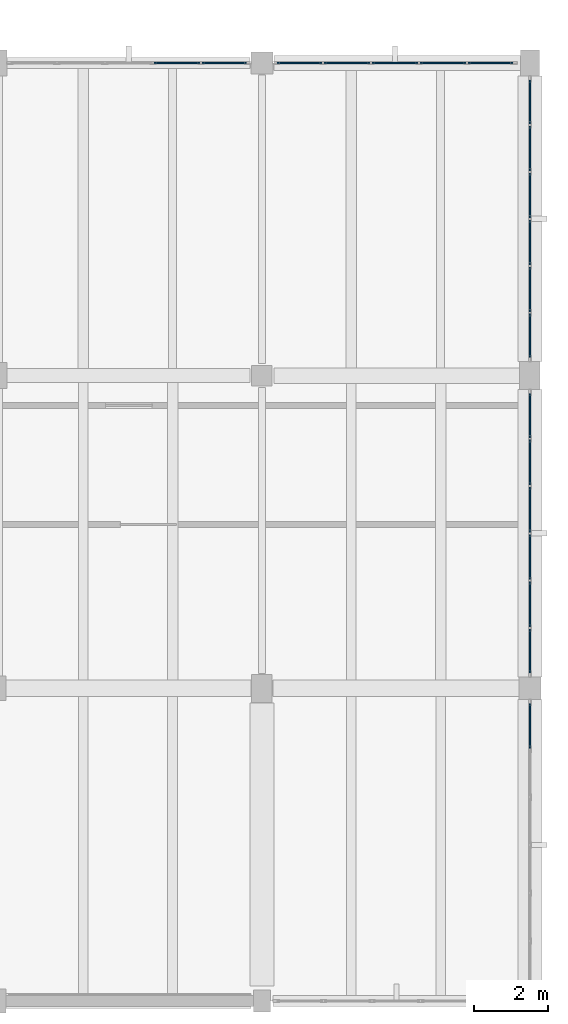
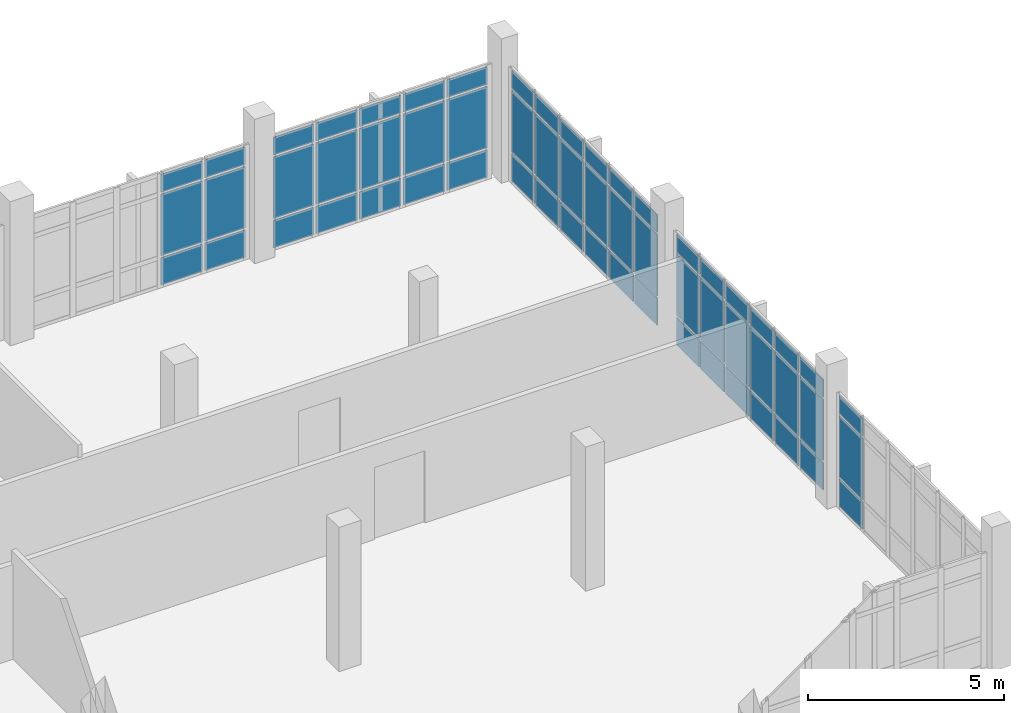
# One storey, part 68 of 87: 60 plates, 5 elements without a shape of their own.
"""IFC4 building model written with IfcOpenShell, lengths in metres."""

from ifc_helpers import new_model, si_unit, direction, frame, origin, origin_2d, place, context, subcontext, project, spatial, rectangle, extrude, material, layer, layer_set, type_object, element, aggregate, save


model = new_model("IFC4")

# Units and contexts
model_context = context("Model", 3, precision=1e-05, world=origin(), true_north=direction((0.0, 1.0)))
body_context = subcontext(model_context, "Body", "Model", "MODEL_VIEW")
ifc_project = project(units=[si_unit("LENGTHUNIT", "METRE"), si_unit("AREAUNIT", "SQUARE_METRE"), si_unit("VOLUMEUNIT", "CUBIC_METRE"), si_unit("PLANEANGLEUNIT", "RADIAN"), si_unit("MASSUNIT", "GRAM", prefix="KILO")], contexts=[model_context])

# Site, building, storey
site_placement = place(None, origin())
site = spatial("IfcSite", under=ifc_project, at=site_placement, CompositionType="ELEMENT")
building_placement = place(site_placement, origin())
building = spatial("IfcBuilding", under=site, at=building_placement, Name="Kalluvel Institute of Natural Sciences", CompositionType="ELEMENT")
storey_placement = place(building_placement, frame((0.0, 0.0, 18.89990234375)))
storey = spatial("IfcBuildingStorey", under=building, at=storey_placement, Name="L04", CompositionType="ELEMENT", Elevation=18.89990234375)

# Curtain wall, plates
ifc_material_1 = material(Name="Aluminium AW-6063 T6", Category="aluminium")
curtain_wall_type = type_object("IfcCurtainWallType", Name="CW-WET-45", PredefinedType="USERDEFINED", material=ifc_material_1)
curtain_wall_1_placement = place(storey_placement, origin())
curtain_wall_1 = element("IfcCurtainWall", 1, at=curtain_wall_1_placement, inside=storey, type_object=curtain_wall_type, Name="L04 Gothic lancet curtain wall CWA-L04-X1008-Y1280", ObjectType="UNITISED LANCET FACADE", PredefinedType="USERDEFINED")
ifc_material_2 = material(Name="Solar-Control Low-E Laminated Glass", Category="glass")
ifc_layer = layer(ifc_material_2, 0.031982421875)
ifc_layer_set = layer_set([ifc_layer], Name="Solar-Control Low-E Laminated Glass")
plate_type = type_object("IfcPlateType", Name="CWP-DGU-32", PredefinedType="CURTAIN_PANEL", material=ifc_layer_set)
plate_1_placement = place(storey_placement, frame((105.31494140625, 128.0, 0.065185546875), z_axis=(0.0, 0.0, 1.0), x_axis=(1.0, 0.0, 0.0)))
plate_1 = element("IfcPlate", 2, at=plate_1_placement, type_object=plate_type, Name="CW-01 panel 4.1", PredefinedType="CURTAIN_PANEL", context=body_context, shape_type="SweptSolid", body=[
    extrude(rectangle(XDim=1.22509765625, YDim=0.031982421875, at=origin_2d()), origin(), (0.0, 0.0, 1.0), 0.8525390625),
])
plate_2_placement = place(storey_placement, frame((105.31494140625, 128.0, 0.982666015625), z_axis=(0.0, 0.0, 1.0), x_axis=(1.0, 0.0, 0.0)))
plate_2 = element("IfcPlate", 3, at=plate_2_placement, type_object=plate_type, Name="CW-01 panel 4.2", PredefinedType="CURTAIN_PANEL", context=body_context, shape_type="SweptSolid", body=[
    extrude(rectangle(XDim=1.22509765625, YDim=0.031982421875, at=origin_2d()), origin(), (0.0, 0.0, 1.0), 1.9150390625),
])
plate_3_placement = place(storey_placement, frame((105.31494140625, 128.0, 2.96240234375), z_axis=(0.0, 0.0, 1.0), x_axis=(1.0, 0.0, 0.0)))
plate_3 = element("IfcPlate", 4, at=plate_3_placement, type_object=plate_type, Name="CW-01 panel 4.3", PredefinedType="CURTAIN_PANEL", context=body_context, shape_type="SweptSolid", body=[
    extrude(rectangle(XDim=1.22509765625, YDim=0.031982421875, at=origin_2d()), origin(), (0.0, 0.0, 1.0), 0.552490234375),
])
plate_4_placement = place(storey_placement, frame((106.5888671875, 128.0, 0.065185546875), z_axis=(0.0, 0.0, 1.0), x_axis=(1.0, 0.0, 0.0)))
plate_4 = element("IfcPlate", 5, at=plate_4_placement, type_object=plate_type, Name="CW-01 panel 5.1", PredefinedType="CURTAIN_PANEL", context=body_context, shape_type="SweptSolid", body=[
    extrude(rectangle(XDim=1.1923828125, YDim=0.031982421875, at=origin_2d()), origin(), (0.0, 0.0, 1.0), 0.8525390625),
])
plate_5_placement = place(storey_placement, frame((106.5888671875, 128.0, 0.982666015625), z_axis=(0.0, 0.0, 1.0), x_axis=(1.0, 0.0, 0.0)))
plate_5 = element("IfcPlate", 6, at=plate_5_placement, type_object=plate_type, Name="CW-01 panel 5.2", PredefinedType="CURTAIN_PANEL", context=body_context, shape_type="SweptSolid", body=[
    extrude(rectangle(XDim=1.1923828125, YDim=0.031982421875, at=origin_2d()), origin(), (0.0, 0.0, 1.0), 1.9150390625),
])
plate_6_placement = place(storey_placement, frame((106.5888671875, 128.0, 2.96240234375), z_axis=(0.0, 0.0, 1.0), x_axis=(1.0, 0.0, 0.0)))
plate_6 = element("IfcPlate", 7, at=plate_6_placement, type_object=plate_type, Name="CW-01 panel 5.3", PredefinedType="CURTAIN_PANEL", context=body_context, shape_type="SweptSolid", body=[
    extrude(rectangle(XDim=1.1923828125, YDim=0.031982421875, at=origin_2d()), origin(), (0.0, 0.0, 1.0), 0.552490234375),
])
aggregate(curtain_wall_1, [plate_1, plate_2, plate_3, plate_4, plate_5, plate_6])

curtain_wall_2_placement = place(storey_placement, origin())
curtain_wall_2 = element("IfcCurtainWall", 8, at=curtain_wall_2_placement, inside=storey, type_object=curtain_wall_type, Name="L04 Gothic lancet curtain wall CWA-L04-X1080-Y1280", ObjectType="UNITISED LANCET FACADE", PredefinedType="USERDEFINED")
plate_7_placement = place(storey_placement, frame((108.611328125, 128.0, 0.065185546875), z_axis=(0.0, 0.0, 1.0), x_axis=(1.0, 0.0, 0.0)))
plate_7 = element("IfcPlate", 9, at=plate_7_placement, type_object=plate_type, Name="CW-01 panel 1.1", PredefinedType="CURTAIN_PANEL", context=body_context, shape_type="SweptSolid", body=[
    extrude(rectangle(XDim=1.1923828125, YDim=0.031982421875, at=origin_2d()), origin(), (0.0, 0.0, 1.0), 0.8525390625),
])
plate_8_placement = place(storey_placement, frame((108.611328125, 128.0, 0.982666015625), z_axis=(0.0, 0.0, 1.0), x_axis=(1.0, 0.0, 0.0)))
plate_8 = element("IfcPlate", 10, at=plate_8_placement, type_object=plate_type, Name="CW-01 panel 1.2", PredefinedType="CURTAIN_PANEL", context=body_context, shape_type="SweptSolid", body=[
    extrude(rectangle(XDim=1.1923828125, YDim=0.031982421875, at=origin_2d()), origin(), (0.0, 0.0, 1.0), 1.9150390625),
])
plate_9_placement = place(storey_placement, frame((108.611328125, 128.0, 2.96240234375), z_axis=(0.0, 0.0, 1.0), x_axis=(1.0, 0.0, 0.0)))
plate_9 = element("IfcPlate", 11, at=plate_9_placement, type_object=plate_type, Name="CW-01 panel 1.3", PredefinedType="CURTAIN_PANEL", context=body_context, shape_type="SweptSolid", body=[
    extrude(rectangle(XDim=1.1923828125, YDim=0.031982421875, at=origin_2d()), origin(), (0.0, 0.0, 1.0), 0.552490234375),
])
plate_10_placement = place(storey_placement, frame((109.885009765625, 128.0, 0.065185546875), z_axis=(0.0, 0.0, 1.0), x_axis=(1.0, 0.0, 0.0)))
plate_10 = element("IfcPlate", 12, at=plate_10_placement, type_object=plate_type, Name="CW-01 panel 2.1", PredefinedType="CURTAIN_PANEL", context=body_context, shape_type="SweptSolid", body=[
    extrude(rectangle(XDim=1.22509765625, YDim=0.031982421875, at=origin_2d()), origin(), (0.0, 0.0, 1.0), 0.8525390625),
])
plate_11_placement = place(storey_placement, frame((109.885009765625, 128.0, 0.982666015625), z_axis=(0.0, 0.0, 1.0), x_axis=(1.0, 0.0, 0.0)))
plate_11 = element("IfcPlate", 13, at=plate_11_placement, type_object=plate_type, Name="CW-01 panel 2.2", PredefinedType="CURTAIN_PANEL", context=body_context, shape_type="SweptSolid", body=[
    extrude(rectangle(XDim=1.22509765625, YDim=0.031982421875, at=origin_2d()), origin(), (0.0, 0.0, 1.0), 1.9150390625),
])
plate_12_placement = place(storey_placement, frame((109.885009765625, 128.0, 2.96240234375), z_axis=(0.0, 0.0, 1.0), x_axis=(1.0, 0.0, 0.0)))
plate_12 = element("IfcPlate", 14, at=plate_12_placement, type_object=plate_type, Name="CW-01 panel 2.3", PredefinedType="CURTAIN_PANEL", context=body_context, shape_type="SweptSolid", body=[
    extrude(rectangle(XDim=1.22509765625, YDim=0.031982421875, at=origin_2d()), origin(), (0.0, 0.0, 1.0), 0.552490234375),
])
plate_13_placement = place(storey_placement, frame((111.175048828125, 128.0, 0.065185546875), z_axis=(0.0, 0.0, 1.0), x_axis=(1.0, 0.0, 0.0)))
plate_13 = element("IfcPlate", 15, at=plate_13_placement, type_object=plate_type, Name="CW-01 panel 3.1", PredefinedType="CURTAIN_PANEL", context=body_context, shape_type="SweptSolid", body=[
    extrude(rectangle(XDim=1.22509765625, YDim=0.031982421875, at=origin_2d()), origin(), (0.0, 0.0, 1.0), 0.8525390625),
])
plate_14_placement = place(storey_placement, frame((111.175048828125, 128.0, 0.982666015625), z_axis=(0.0, 0.0, 1.0), x_axis=(1.0, 0.0, 0.0)))
plate_14 = element("IfcPlate", 16, at=plate_14_placement, type_object=plate_type, Name="CW-01 panel 3.2", PredefinedType="CURTAIN_PANEL", context=body_context, shape_type="SweptSolid", body=[
    extrude(rectangle(XDim=1.22509765625, YDim=0.031982421875, at=origin_2d()), origin(), (0.0, 0.0, 1.0), 1.9150390625),
])
plate_15_placement = place(storey_placement, frame((111.175048828125, 128.0, 2.96240234375), z_axis=(0.0, 0.0, 1.0), x_axis=(1.0, 0.0, 0.0)))
plate_15 = element("IfcPlate", 17, at=plate_15_placement, type_object=plate_type, Name="CW-01 panel 3.3", PredefinedType="CURTAIN_PANEL", context=body_context, shape_type="SweptSolid", body=[
    extrude(rectangle(XDim=1.22509765625, YDim=0.031982421875, at=origin_2d()), origin(), (0.0, 0.0, 1.0), 0.552490234375),
])
plate_16_placement = place(storey_placement, frame((112.465087890625, 128.0, 0.065185546875), z_axis=(0.0, 0.0, 1.0), x_axis=(1.0, 0.0, 0.0)))
plate_16 = element("IfcPlate", 18, at=plate_16_placement, type_object=plate_type, Name="CW-01 panel 4.1", PredefinedType="CURTAIN_PANEL", context=body_context, shape_type="SweptSolid", body=[
    extrude(rectangle(XDim=1.22509765625, YDim=0.031982421875, at=origin_2d()), origin(), (0.0, 0.0, 1.0), 0.8525390625),
])
plate_17_placement = place(storey_placement, frame((112.465087890625, 128.0, 0.982666015625), z_axis=(0.0, 0.0, 1.0), x_axis=(1.0, 0.0, 0.0)))
plate_17 = element("IfcPlate", 19, at=plate_17_placement, type_object=plate_type, Name="CW-01 panel 4.2", PredefinedType="CURTAIN_PANEL", context=body_context, shape_type="SweptSolid", body=[
    extrude(rectangle(XDim=1.22509765625, YDim=0.031982421875, at=origin_2d()), origin(), (0.0, 0.0, 1.0), 1.9150390625),
])
plate_18_placement = place(storey_placement, frame((112.465087890625, 128.0, 2.96240234375), z_axis=(0.0, 0.0, 1.0), x_axis=(1.0, 0.0, 0.0)))
plate_18 = element("IfcPlate", 20, at=plate_18_placement, type_object=plate_type, Name="CW-01 panel 4.3", PredefinedType="CURTAIN_PANEL", context=body_context, shape_type="SweptSolid", body=[
    extrude(rectangle(XDim=1.22509765625, YDim=0.031982421875, at=origin_2d()), origin(), (0.0, 0.0, 1.0), 0.552490234375),
])
plate_19_placement = place(storey_placement, frame((113.73876953125, 128.0, 0.065185546875), z_axis=(0.0, 0.0, 1.0), x_axis=(1.0, 0.0, 0.0)))
plate_19 = element("IfcPlate", 21, at=plate_19_placement, type_object=plate_type, Name="CW-01 panel 5.1", PredefinedType="CURTAIN_PANEL", context=body_context, shape_type="SweptSolid", body=[
    extrude(rectangle(XDim=1.1923828125, YDim=0.031982421875, at=origin_2d()), origin(), (0.0, 0.0, 1.0), 0.8525390625),
])
plate_20_placement = place(storey_placement, frame((113.73876953125, 128.0, 0.982666015625), z_axis=(0.0, 0.0, 1.0), x_axis=(1.0, 0.0, 0.0)))
plate_20 = element("IfcPlate", 22, at=plate_20_placement, type_object=plate_type, Name="CW-01 panel 5.2", PredefinedType="CURTAIN_PANEL", context=body_context, shape_type="SweptSolid", body=[
    extrude(rectangle(XDim=1.1923828125, YDim=0.031982421875, at=origin_2d()), origin(), (0.0, 0.0, 1.0), 1.9150390625),
])
plate_21_placement = place(storey_placement, frame((113.73876953125, 128.0, 2.96240234375), z_axis=(0.0, 0.0, 1.0), x_axis=(1.0, 0.0, 0.0)))
plate_21 = element("IfcPlate", 23, at=plate_21_placement, type_object=plate_type, Name="CW-01 panel 5.3", PredefinedType="CURTAIN_PANEL", context=body_context, shape_type="SweptSolid", body=[
    extrude(rectangle(XDim=1.1923828125, YDim=0.031982421875, at=origin_2d()), origin(), (0.0, 0.0, 1.0), 0.552490234375),
])
aggregate(curtain_wall_2, [plate_7, plate_8, plate_9, plate_10, plate_11, plate_12, plate_13, plate_14, plate_15, plate_16, plate_17, plate_18, plate_19, plate_20, plate_21])

curtain_wall_3_placement = place(storey_placement, origin())
curtain_wall_3 = element("IfcCurtainWall", 24, at=curtain_wall_3_placement, inside=storey, type_object=curtain_wall_type, Name="L04 Gothic lancet curtain wall CWA-L04-X1148-Y1031", ObjectType="UNITISED LANCET FACADE", PredefinedType="USERDEFINED")
plate_22_placement = place(storey_placement, frame((114.800048828125, 110.18994140625, 0.065185546875), z_axis=(0.0, 0.0, 1.0), x_axis=(0.0, 1.0, 0.0)))
plate_22 = element("IfcPlate", 25, at=plate_22_placement, type_object=plate_type, Name="CW-01 panel 6.1", PredefinedType="CURTAIN_PANEL", context=body_context, shape_type="SweptSolid", body=[
    extrude(rectangle(XDim=1.18994140625, YDim=0.031982421875, at=origin_2d()), origin(), (0.0, 0.0, 1.0), 0.8525390625),
])
plate_23_placement = place(storey_placement, frame((114.800048828125, 110.18994140625, 0.982666015625), z_axis=(0.0, 0.0, 1.0), x_axis=(0.0, 1.0, 0.0)))
plate_23 = element("IfcPlate", 26, at=plate_23_placement, type_object=plate_type, Name="CW-01 panel 6.2", PredefinedType="CURTAIN_PANEL", context=body_context, shape_type="SweptSolid", body=[
    extrude(rectangle(XDim=1.18994140625, YDim=0.031982421875, at=origin_2d()), origin(), (0.0, 0.0, 1.0), 1.9150390625),
])
plate_24_placement = place(storey_placement, frame((114.800048828125, 110.18994140625, 2.96240234375), z_axis=(0.0, 0.0, 1.0), x_axis=(0.0, 1.0, 0.0)))
plate_24 = element("IfcPlate", 27, at=plate_24_placement, type_object=plate_type, Name="CW-01 panel 6.3", PredefinedType="CURTAIN_PANEL", context=body_context, shape_type="SweptSolid", body=[
    extrude(rectangle(XDim=1.18994140625, YDim=0.031982421875, at=origin_2d()), origin(), (0.0, 0.0, 1.0), 0.552490234375),
])
aggregate(curtain_wall_3, [plate_22, plate_23, plate_24])

curtain_wall_4_placement = place(storey_placement, origin())
curtain_wall_4 = element("IfcCurtainWall", 28, at=curtain_wall_4_placement, inside=storey, type_object=curtain_wall_type, Name="L04 Gothic lancet curtain wall CWA-L04-X1148-Y1116", ObjectType="UNITISED LANCET FACADE", PredefinedType="USERDEFINED")
plate_25_placement = place(storey_placement, frame((114.800048828125, 112.20166015625, 0.065185546875), z_axis=(0.0, 0.0, 1.0), x_axis=(0.0, 1.0, 0.0)))
plate_25 = element("IfcPlate", 29, at=plate_25_placement, type_object=plate_type, Name="CW-01 panel 1.1", PredefinedType="CURTAIN_PANEL", context=body_context, shape_type="SweptSolid", body=[
    extrude(rectangle(XDim=1.17333984375, YDim=0.031982421875, at=origin_2d()), origin(), (0.0, 0.0, 1.0), 0.8525390625),
])
plate_26_placement = place(storey_placement, frame((114.800048828125, 112.20166015625, 0.982666015625), z_axis=(0.0, 0.0, 1.0), x_axis=(0.0, 1.0, 0.0)))
plate_26 = element("IfcPlate", 30, at=plate_26_placement, type_object=plate_type, Name="CW-01 panel 1.2", PredefinedType="CURTAIN_PANEL", context=body_context, shape_type="SweptSolid", body=[
    extrude(rectangle(XDim=1.17333984375, YDim=0.031982421875, at=origin_2d()), origin(), (0.0, 0.0, 1.0), 1.9150390625),
])
plate_27_placement = place(storey_placement, frame((114.800048828125, 112.20166015625, 2.96240234375), z_axis=(0.0, 0.0, 1.0), x_axis=(0.0, 1.0, 0.0)))
plate_27 = element("IfcPlate", 31, at=plate_27_placement, type_object=plate_type, Name="CW-01 panel 1.3", PredefinedType="CURTAIN_PANEL", context=body_context, shape_type="SweptSolid", body=[
    extrude(rectangle(XDim=1.17333984375, YDim=0.031982421875, at=origin_2d()), origin(), (0.0, 0.0, 1.0), 0.552490234375),
])
plate_28_placement = place(storey_placement, frame((114.800048828125, 113.456298828125, 0.065185546875), z_axis=(0.0, 0.0, 1.0), x_axis=(0.0, 1.0, 0.0)))
plate_28 = element("IfcPlate", 32, at=plate_28_placement, type_object=plate_type, Name="CW-01 panel 2.1", PredefinedType="CURTAIN_PANEL", context=body_context, shape_type="SweptSolid", body=[
    extrude(rectangle(XDim=1.205810546875, YDim=0.031982421875, at=origin_2d()), origin(), (0.0, 0.0, 1.0), 0.8525390625),
])
plate_29_placement = place(storey_placement, frame((114.800048828125, 113.456298828125, 0.982666015625), z_axis=(0.0, 0.0, 1.0), x_axis=(0.0, 1.0, 0.0)))
plate_29 = element("IfcPlate", 33, at=plate_29_placement, type_object=plate_type, Name="CW-01 panel 2.2", PredefinedType="CURTAIN_PANEL", context=body_context, shape_type="SweptSolid", body=[
    extrude(rectangle(XDim=1.205810546875, YDim=0.031982421875, at=origin_2d()), origin(), (0.0, 0.0, 1.0), 1.9150390625),
])
plate_30_placement = place(storey_placement, frame((114.800048828125, 113.456298828125, 2.96240234375), z_axis=(0.0, 0.0, 1.0), x_axis=(0.0, 1.0, 0.0)))
plate_30 = element("IfcPlate", 34, at=plate_30_placement, type_object=plate_type, Name="CW-01 panel 2.3", PredefinedType="CURTAIN_PANEL", context=body_context, shape_type="SweptSolid", body=[
    extrude(rectangle(XDim=1.205810546875, YDim=0.031982421875, at=origin_2d()), origin(), (0.0, 0.0, 1.0), 0.552490234375),
])
plate_31_placement = place(storey_placement, frame((114.800048828125, 114.72705078125, 0.065185546875), z_axis=(0.0, 0.0, 1.0), x_axis=(0.0, 1.0, 0.0)))
plate_31 = element("IfcPlate", 35, at=plate_31_placement, type_object=plate_type, Name="CW-01 panel 3.1", PredefinedType="CURTAIN_PANEL", context=body_context, shape_type="SweptSolid", body=[
    extrude(rectangle(XDim=1.205810546875, YDim=0.031982421875, at=origin_2d()), origin(), (0.0, 0.0, 1.0), 0.8525390625),
])
plate_32_placement = place(storey_placement, frame((114.800048828125, 114.72705078125, 0.982666015625), z_axis=(0.0, 0.0, 1.0), x_axis=(0.0, 1.0, 0.0)))
plate_32 = element("IfcPlate", 36, at=plate_32_placement, type_object=plate_type, Name="CW-01 panel 3.2", PredefinedType="CURTAIN_PANEL", context=body_context, shape_type="SweptSolid", body=[
    extrude(rectangle(XDim=1.205810546875, YDim=0.031982421875, at=origin_2d()), origin(), (0.0, 0.0, 1.0), 1.9150390625),
])
plate_33_placement = place(storey_placement, frame((114.800048828125, 114.72705078125, 2.96240234375), z_axis=(0.0, 0.0, 1.0), x_axis=(0.0, 1.0, 0.0)))
plate_33 = element("IfcPlate", 37, at=plate_33_placement, type_object=plate_type, Name="CW-01 panel 3.3", PredefinedType="CURTAIN_PANEL", context=body_context, shape_type="SweptSolid", body=[
    extrude(rectangle(XDim=1.205810546875, YDim=0.031982421875, at=origin_2d()), origin(), (0.0, 0.0, 1.0), 0.552490234375),
])
plate_34_placement = place(storey_placement, frame((114.800048828125, 115.997802734375, 0.065185546875), z_axis=(0.0, 0.0, 1.0), x_axis=(0.0, 1.0, 0.0)))
plate_34 = element("IfcPlate", 38, at=plate_34_placement, type_object=plate_type, Name="CW-01 panel 4.1", PredefinedType="CURTAIN_PANEL", context=body_context, shape_type="SweptSolid", body=[
    extrude(rectangle(XDim=1.205810546875, YDim=0.031982421875, at=origin_2d()), origin(), (0.0, 0.0, 1.0), 0.8525390625),
])
plate_35_placement = place(storey_placement, frame((114.800048828125, 115.997802734375, 0.982666015625), z_axis=(0.0, 0.0, 1.0), x_axis=(0.0, 1.0, 0.0)))
plate_35 = element("IfcPlate", 39, at=plate_35_placement, type_object=plate_type, Name="CW-01 panel 4.2", PredefinedType="CURTAIN_PANEL", context=body_context, shape_type="SweptSolid", body=[
    extrude(rectangle(XDim=1.205810546875, YDim=0.031982421875, at=origin_2d()), origin(), (0.0, 0.0, 1.0), 1.9150390625),
])
plate_36_placement = place(storey_placement, frame((114.800048828125, 115.997802734375, 2.96240234375), z_axis=(0.0, 0.0, 1.0), x_axis=(0.0, 1.0, 0.0)))
plate_36 = element("IfcPlate", 40, at=plate_36_placement, type_object=plate_type, Name="CW-01 panel 4.3", PredefinedType="CURTAIN_PANEL", context=body_context, shape_type="SweptSolid", body=[
    extrude(rectangle(XDim=1.205810546875, YDim=0.031982421875, at=origin_2d()), origin(), (0.0, 0.0, 1.0), 0.552490234375),
])
plate_37_placement = place(storey_placement, frame((114.800048828125, 117.268798828125, 0.065185546875), z_axis=(0.0, 0.0, 1.0), x_axis=(0.0, 1.0, 0.0)))
plate_37 = element("IfcPlate", 41, at=plate_37_placement, type_object=plate_type, Name="CW-01 panel 5.1", PredefinedType="CURTAIN_PANEL", context=body_context, shape_type="SweptSolid", body=[
    extrude(rectangle(XDim=1.205810546875, YDim=0.031982421875, at=origin_2d()), origin(), (0.0, 0.0, 1.0), 0.8525390625),
])
plate_38_placement = place(storey_placement, frame((114.800048828125, 117.268798828125, 0.982666015625), z_axis=(0.0, 0.0, 1.0), x_axis=(0.0, 1.0, 0.0)))
plate_38 = element("IfcPlate", 42, at=plate_38_placement, type_object=plate_type, Name="CW-01 panel 5.2", PredefinedType="CURTAIN_PANEL", context=body_context, shape_type="SweptSolid", body=[
    extrude(rectangle(XDim=1.205810546875, YDim=0.031982421875, at=origin_2d()), origin(), (0.0, 0.0, 1.0), 1.9150390625),
])
plate_39_placement = place(storey_placement, frame((114.800048828125, 117.268798828125, 2.96240234375), z_axis=(0.0, 0.0, 1.0), x_axis=(0.0, 1.0, 0.0)))
plate_39 = element("IfcPlate", 43, at=plate_39_placement, type_object=plate_type, Name="CW-01 panel 5.3", PredefinedType="CURTAIN_PANEL", context=body_context, shape_type="SweptSolid", body=[
    extrude(rectangle(XDim=1.205810546875, YDim=0.031982421875, at=origin_2d()), origin(), (0.0, 0.0, 1.0), 0.552490234375),
])
plate_40_placement = place(storey_placement, frame((114.800048828125, 118.5234375, 0.065185546875), z_axis=(0.0, 0.0, 1.0), x_axis=(0.0, 1.0, 0.0)))
plate_40 = element("IfcPlate", 44, at=plate_40_placement, type_object=plate_type, Name="CW-01 panel 6.1", PredefinedType="CURTAIN_PANEL", context=body_context, shape_type="SweptSolid", body=[
    extrude(rectangle(XDim=1.17333984375, YDim=0.031982421875, at=origin_2d()), origin(), (0.0, 0.0, 1.0), 0.8525390625),
])
plate_41_placement = place(storey_placement, frame((114.800048828125, 118.5234375, 0.982666015625), z_axis=(0.0, 0.0, 1.0), x_axis=(0.0, 1.0, 0.0)))
plate_41 = element("IfcPlate", 45, at=plate_41_placement, type_object=plate_type, Name="CW-01 panel 6.2", PredefinedType="CURTAIN_PANEL", context=body_context, shape_type="SweptSolid", body=[
    extrude(rectangle(XDim=1.17333984375, YDim=0.031982421875, at=origin_2d()), origin(), (0.0, 0.0, 1.0), 1.9150390625),
])
plate_42_placement = place(storey_placement, frame((114.800048828125, 118.5234375, 2.96240234375), z_axis=(0.0, 0.0, 1.0), x_axis=(0.0, 1.0, 0.0)))
plate_42 = element("IfcPlate", 46, at=plate_42_placement, type_object=plate_type, Name="CW-01 panel 6.3", PredefinedType="CURTAIN_PANEL", context=body_context, shape_type="SweptSolid", body=[
    extrude(rectangle(XDim=1.17333984375, YDim=0.031982421875, at=origin_2d()), origin(), (0.0, 0.0, 1.0), 0.552490234375),
])
aggregate(curtain_wall_4, [plate_25, plate_26, plate_27, plate_28, plate_29, plate_30, plate_31, plate_32, plate_33, plate_34, plate_35, plate_36, plate_37, plate_38, plate_39, plate_40, plate_41, plate_42])

curtain_wall_5_placement = place(storey_placement, origin())
curtain_wall_5 = element("IfcCurtainWall", 47, at=curtain_wall_5_placement, inside=storey, type_object=curtain_wall_type, Name="L04 Gothic lancet curtain wall CWA-L04-X1148-Y1200", ObjectType="UNITISED LANCET FACADE", PredefinedType="USERDEFINED")
plate_43_placement = place(storey_placement, frame((114.800048828125, 120.672607421875, 0.065185546875), z_axis=(0.0, 0.0, 1.0), x_axis=(0.0, 1.0, 0.0)))
plate_43 = element("IfcPlate", 48, at=plate_43_placement, type_object=plate_type, Name="CW-01 panel 1.1", PredefinedType="CURTAIN_PANEL", context=body_context, shape_type="SweptSolid", body=[
    extrude(rectangle(XDim=1.1650390625, YDim=0.031982421875, at=origin_2d()), origin(), (0.0, 0.0, 1.0), 0.8525390625),
])
plate_44_placement = place(storey_placement, frame((114.800048828125, 120.672607421875, 0.982666015625), z_axis=(0.0, 0.0, 1.0), x_axis=(0.0, 1.0, 0.0)))
plate_44 = element("IfcPlate", 49, at=plate_44_placement, type_object=plate_type, Name="CW-01 panel 1.2", PredefinedType="CURTAIN_PANEL", context=body_context, shape_type="SweptSolid", body=[
    extrude(rectangle(XDim=1.1650390625, YDim=0.031982421875, at=origin_2d()), origin(), (0.0, 0.0, 1.0), 1.9150390625),
])
plate_45_placement = place(storey_placement, frame((114.800048828125, 120.672607421875, 2.96240234375), z_axis=(0.0, 0.0, 1.0), x_axis=(0.0, 1.0, 0.0)))
plate_45 = element("IfcPlate", 50, at=plate_45_placement, type_object=plate_type, Name="CW-01 panel 1.3", PredefinedType="CURTAIN_PANEL", context=body_context, shape_type="SweptSolid", body=[
    extrude(rectangle(XDim=1.1650390625, YDim=0.031982421875, at=origin_2d()), origin(), (0.0, 0.0, 1.0), 0.552490234375),
])
plate_46_placement = place(storey_placement, frame((114.800048828125, 121.918701171875, 0.065185546875), z_axis=(0.0, 0.0, 1.0), x_axis=(0.0, 1.0, 0.0)))
plate_46 = element("IfcPlate", 51, at=plate_46_placement, type_object=plate_type, Name="CW-01 panel 2.1", PredefinedType="CURTAIN_PANEL", context=body_context, shape_type="SweptSolid", body=[
    extrude(rectangle(XDim=1.197509765625, YDim=0.031982421875, at=origin_2d()), origin(), (0.0, 0.0, 1.0), 0.8525390625),
])
plate_47_placement = place(storey_placement, frame((114.800048828125, 121.918701171875, 0.982666015625), z_axis=(0.0, 0.0, 1.0), x_axis=(0.0, 1.0, 0.0)))
plate_47 = element("IfcPlate", 52, at=plate_47_placement, type_object=plate_type, Name="CW-01 panel 2.2", PredefinedType="CURTAIN_PANEL", context=body_context, shape_type="SweptSolid", body=[
    extrude(rectangle(XDim=1.197509765625, YDim=0.031982421875, at=origin_2d()), origin(), (0.0, 0.0, 1.0), 1.9150390625),
])
plate_48_placement = place(storey_placement, frame((114.800048828125, 121.918701171875, 2.96240234375), z_axis=(0.0, 0.0, 1.0), x_axis=(0.0, 1.0, 0.0)))
plate_48 = element("IfcPlate", 53, at=plate_48_placement, type_object=plate_type, Name="CW-01 panel 2.3", PredefinedType="CURTAIN_PANEL", context=body_context, shape_type="SweptSolid", body=[
    extrude(rectangle(XDim=1.197509765625, YDim=0.031982421875, at=origin_2d()), origin(), (0.0, 0.0, 1.0), 0.552490234375),
])
plate_49_placement = place(storey_placement, frame((114.800048828125, 123.18115234375, 0.065185546875), z_axis=(0.0, 0.0, 1.0), x_axis=(0.0, 1.0, 0.0)))
plate_49 = element("IfcPlate", 54, at=plate_49_placement, type_object=plate_type, Name="CW-01 panel 3.1", PredefinedType="CURTAIN_PANEL", context=body_context, shape_type="SweptSolid", body=[
    extrude(rectangle(XDim=1.197509765625, YDim=0.031982421875, at=origin_2d()), origin(), (0.0, 0.0, 1.0), 0.8525390625),
])
plate_50_placement = place(storey_placement, frame((114.800048828125, 123.18115234375, 0.982666015625), z_axis=(0.0, 0.0, 1.0), x_axis=(0.0, 1.0, 0.0)))
plate_50 = element("IfcPlate", 55, at=plate_50_placement, type_object=plate_type, Name="CW-01 panel 3.2", PredefinedType="CURTAIN_PANEL", context=body_context, shape_type="SweptSolid", body=[
    extrude(rectangle(XDim=1.197509765625, YDim=0.031982421875, at=origin_2d()), origin(), (0.0, 0.0, 1.0), 1.9150390625),
])
plate_51_placement = place(storey_placement, frame((114.800048828125, 123.18115234375, 2.96240234375), z_axis=(0.0, 0.0, 1.0), x_axis=(0.0, 1.0, 0.0)))
plate_51 = element("IfcPlate", 56, at=plate_51_placement, type_object=plate_type, Name="CW-01 panel 3.3", PredefinedType="CURTAIN_PANEL", context=body_context, shape_type="SweptSolid", body=[
    extrude(rectangle(XDim=1.197509765625, YDim=0.031982421875, at=origin_2d()), origin(), (0.0, 0.0, 1.0), 0.552490234375),
])
plate_52_placement = place(storey_placement, frame((114.800048828125, 124.44384765625, 0.065185546875), z_axis=(0.0, 0.0, 1.0), x_axis=(0.0, 1.0, 0.0)))
plate_52 = element("IfcPlate", 57, at=plate_52_placement, type_object=plate_type, Name="CW-01 panel 4.1", PredefinedType="CURTAIN_PANEL", context=body_context, shape_type="SweptSolid", body=[
    extrude(rectangle(XDim=1.197509765625, YDim=0.031982421875, at=origin_2d()), origin(), (0.0, 0.0, 1.0), 0.8525390625),
])
plate_53_placement = place(storey_placement, frame((114.800048828125, 124.44384765625, 0.982666015625), z_axis=(0.0, 0.0, 1.0), x_axis=(0.0, 1.0, 0.0)))
plate_53 = element("IfcPlate", 58, at=plate_53_placement, type_object=plate_type, Name="CW-01 panel 4.2", PredefinedType="CURTAIN_PANEL", context=body_context, shape_type="SweptSolid", body=[
    extrude(rectangle(XDim=1.197509765625, YDim=0.031982421875, at=origin_2d()), origin(), (0.0, 0.0, 1.0), 1.9150390625),
])
plate_54_placement = place(storey_placement, frame((114.800048828125, 124.44384765625, 2.96240234375), z_axis=(0.0, 0.0, 1.0), x_axis=(0.0, 1.0, 0.0)))
plate_54 = element("IfcPlate", 59, at=plate_54_placement, type_object=plate_type, Name="CW-01 panel 4.3", PredefinedType="CURTAIN_PANEL", context=body_context, shape_type="SweptSolid", body=[
    extrude(rectangle(XDim=1.197509765625, YDim=0.031982421875, at=origin_2d()), origin(), (0.0, 0.0, 1.0), 0.552490234375),
])
plate_55_placement = place(storey_placement, frame((114.800048828125, 125.706298828125, 0.065185546875), z_axis=(0.0, 0.0, 1.0), x_axis=(0.0, 1.0, 0.0)))
plate_55 = element("IfcPlate", 60, at=plate_55_placement, type_object=plate_type, Name="CW-01 panel 5.1", PredefinedType="CURTAIN_PANEL", context=body_context, shape_type="SweptSolid", body=[
    extrude(rectangle(XDim=1.197509765625, YDim=0.031982421875, at=origin_2d()), origin(), (0.0, 0.0, 1.0), 0.8525390625),
])
plate_56_placement = place(storey_placement, frame((114.800048828125, 125.706298828125, 0.982666015625), z_axis=(0.0, 0.0, 1.0), x_axis=(0.0, 1.0, 0.0)))
plate_56 = element("IfcPlate", 61, at=plate_56_placement, type_object=plate_type, Name="CW-01 panel 5.2", PredefinedType="CURTAIN_PANEL", context=body_context, shape_type="SweptSolid", body=[
    extrude(rectangle(XDim=1.197509765625, YDim=0.031982421875, at=origin_2d()), origin(), (0.0, 0.0, 1.0), 1.9150390625),
])
plate_57_placement = place(storey_placement, frame((114.800048828125, 125.706298828125, 2.96240234375), z_axis=(0.0, 0.0, 1.0), x_axis=(0.0, 1.0, 0.0)))
plate_57 = element("IfcPlate", 62, at=plate_57_placement, type_object=plate_type, Name="CW-01 panel 5.3", PredefinedType="CURTAIN_PANEL", context=body_context, shape_type="SweptSolid", body=[
    extrude(rectangle(XDim=1.197509765625, YDim=0.031982421875, at=origin_2d()), origin(), (0.0, 0.0, 1.0), 0.552490234375),
])
plate_58_placement = place(storey_placement, frame((114.800048828125, 126.952392578125, 0.065185546875), z_axis=(0.0, 0.0, 1.0), x_axis=(0.0, 1.0, 0.0)))
plate_58 = element("IfcPlate", 63, at=plate_58_placement, type_object=plate_type, Name="CW-01 panel 6.1", PredefinedType="CURTAIN_PANEL", context=body_context, shape_type="SweptSolid", body=[
    extrude(rectangle(XDim=1.1650390625, YDim=0.031982421875, at=origin_2d()), origin(), (0.0, 0.0, 1.0), 0.8525390625),
])
plate_59_placement = place(storey_placement, frame((114.800048828125, 126.952392578125, 0.982666015625), z_axis=(0.0, 0.0, 1.0), x_axis=(0.0, 1.0, 0.0)))
plate_59 = element("IfcPlate", 64, at=plate_59_placement, type_object=plate_type, Name="CW-01 panel 6.2", PredefinedType="CURTAIN_PANEL", context=body_context, shape_type="SweptSolid", body=[
    extrude(rectangle(XDim=1.1650390625, YDim=0.031982421875, at=origin_2d()), origin(), (0.0, 0.0, 1.0), 1.9150390625),
])
plate_60_placement = place(storey_placement, frame((114.800048828125, 126.952392578125, 2.96240234375), z_axis=(0.0, 0.0, 1.0), x_axis=(0.0, 1.0, 0.0)))
plate_60 = element("IfcPlate", 65, at=plate_60_placement, type_object=plate_type, Name="CW-01 panel 6.3", PredefinedType="CURTAIN_PANEL", context=body_context, shape_type="SweptSolid", body=[
    extrude(rectangle(XDim=1.1650390625, YDim=0.031982421875, at=origin_2d()), origin(), (0.0, 0.0, 1.0), 0.552490234375),
])
aggregate(curtain_wall_5, [plate_43, plate_44, plate_45, plate_46, plate_47, plate_48, plate_49, plate_50, plate_51, plate_52, plate_53, plate_54, plate_55, plate_56, plate_57, plate_58, plate_59, plate_60])

save(model, "model.ifc")
